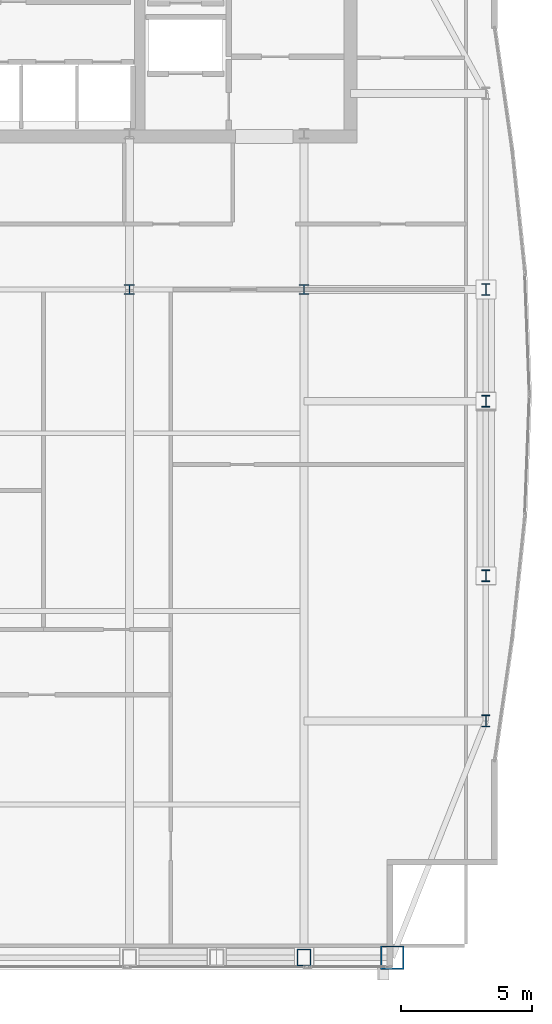
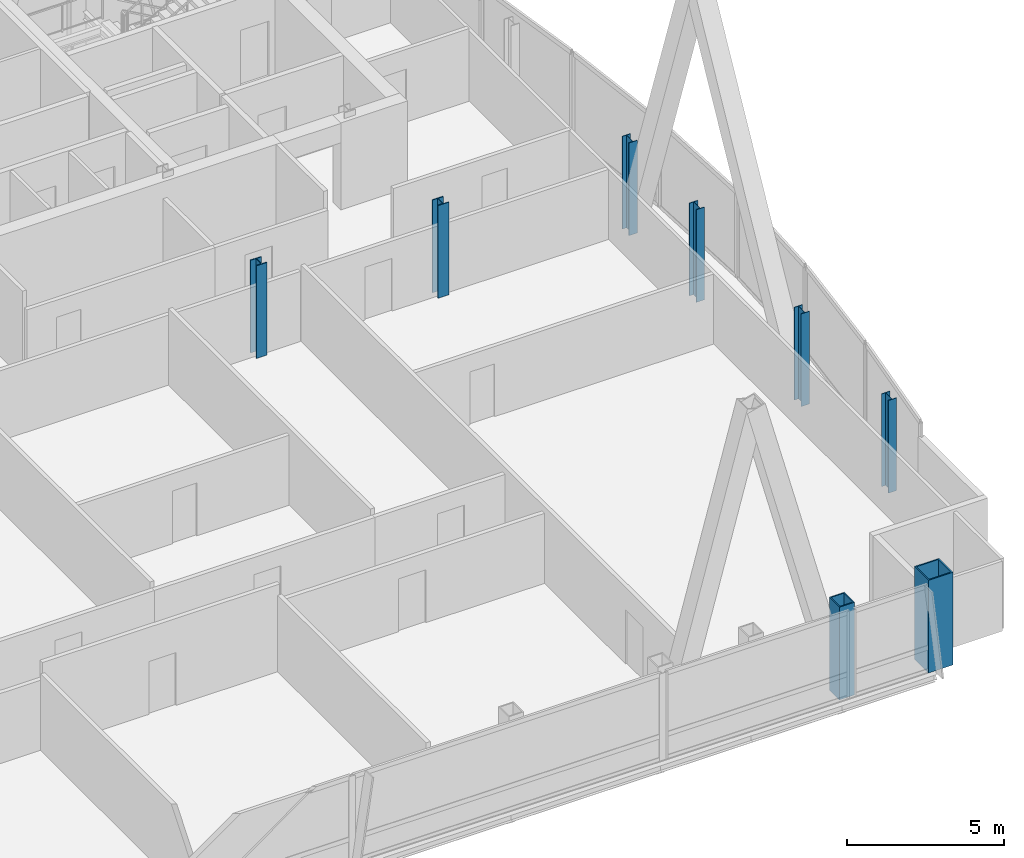
# One storey, part 2 of 29: 8 columns.
"""IFC4 building model written with IfcOpenShell, lengths in metres."""

import ifcopenshell
import ifcopenshell.guid

model = None  # the IFC model being written
_history = None  # IfcOwnerHistory: only IFC2X3 demands one
_inside = {}  # id of a spatial element -> (the spatial element, [elements in it])
_under = {}  # id of a project, library or spatial element -> (it, [spatial elements below it])
_declared = {}  # id of a project -> (the project, [libraries it declares])
_typed = {}  # id of a type object -> (the type object, [elements of that type])
_made_of = {}  # id of a material, layer set ... -> (it, [elements and type objects made of it])


def new_model(schema):
    """Start an empty IFC model of exactly this schema.

    Asked for "IFC4X3", IfcOpenShell would pick the latest addendum, in which some entities
    have other attributes; the version numbers below select the first issue.
    IFC2X3 requires an IfcOwnerHistory on every rooted entity: one is made here for all.
    """
    global model, _history
    if schema == "IFC4X3":
        model = ifcopenshell.file(schema_version=(4, 3, 0, 0))
    else:
        model = ifcopenshell.file(schema=schema)
    _inside.clear()
    _under.clear()
    _declared.clear()
    _typed.clear()
    _made_of.clear()
    _history = None
    if model.schema == "IFC2X3":
        org = make("IfcOrganization", Name="unknown")
        user = make(
            "IfcPersonAndOrganization",
            ThePerson=make("IfcPerson", FamilyName="unknown"),
            TheOrganization=org,
        )
        app = make(
            "IfcApplication",
            ApplicationDeveloper=org,
            Version="unknown",
            ApplicationFullName="unknown",
            ApplicationIdentifier="unknown",
        )
        _history = make(
            "IfcOwnerHistory",
            OwningUser=user,
            OwningApplication=app,
            ChangeAction="ADDED",
            CreationDate=0,
        )
    return model


def make(cls, **values):
    """One entity of the class cls with the attributes given. An attribute that is None is left unset."""
    return model.create_entity(
        cls, **{name: value for name, value in values.items() if value is not None}
    )


def rooted(cls, **values):
    """An entity with a GlobalId (a new one), such as an element, a storey or a relation."""
    return make(cls, GlobalId=ifcopenshell.guid.new(), OwnerHistory=_history, **values)


def si_unit(unit_type, name, prefix=None):
    """IfcSIUnit, for example si_unit("LENGTHUNIT", "METRE", prefix="MILLI")."""
    return make("IfcSIUnit", UnitType=unit_type, Prefix=prefix, Name=name)


def assignment(units):
    """IfcUnitAssignment: the units of a project."""
    return None if units is None else make("IfcUnitAssignment", Units=units)


def point(xyz):
    """IfcCartesianPoint."""
    return None if xyz is None else make("IfcCartesianPoint", Coordinates=xyz)


def direction(xyz):
    """IfcDirection."""
    return None if xyz is None else make("IfcDirection", DirectionRatios=xyz)


def frame(location, z_axis=None, x_axis=None):
    """IfcAxis2Placement3D, a coordinate frame: its origin and axes. An axis left out is left unset."""
    return make(
        "IfcAxis2Placement3D",
        Location=point(location),
        Axis=direction(z_axis),
        RefDirection=direction(x_axis),
    )


def frame_2d(location, x_axis=None):
    """IfcAxis2Placement2D, a coordinate frame in the plane: its origin and x axis."""
    return make(
        "IfcAxis2Placement2D", Location=point(location), RefDirection=direction(x_axis)
    )


def origin():
    """The frame at (0, 0, 0) with its axes left unset."""
    return frame((0.0, 0.0, 0.0))


def origin_2d():
    """The frame at (0, 0) in the plane with its x axis left unset."""
    return frame_2d((0.0, 0.0))


def place(relative_to, where):
    """IfcLocalPlacement: puts the frame where relative to a parent placement (None: the world)."""
    return make(
        "IfcLocalPlacement", PlacementRelTo=relative_to, RelativePlacement=where
    )


def context(
    kind, dimensions, precision=None, world=None, true_north=None, identifier=None
):
    """IfcGeometricRepresentationContext, for example the 3D "Model" context."""
    return make(
        "IfcGeometricRepresentationContext",
        ContextIdentifier=identifier,
        ContextType=kind,
        CoordinateSpaceDimension=dimensions,
        Precision=precision,
        WorldCoordinateSystem=world,
        TrueNorth=true_north,
    )


def subcontext(parent, identifier, kind, view, scale=None):
    """IfcGeometricRepresentationSubContext, for example "Body" below "Model"."""
    return make(
        "IfcGeometricRepresentationSubContext",
        ContextIdentifier=identifier,
        ContextType=kind,
        ParentContext=parent,
        TargetScale=scale,
        TargetView=view,
    )


def project(units=None, contexts=None):
    """IfcProject with its units and contexts."""
    return rooted(
        "IfcProject",
        Name="project",
        RepresentationContexts=contexts,
        UnitsInContext=assignment(units),
    )


def spatial(cls, under=None, at=None, **own):
    """A site, building, storey or space (cls), placed at a placement, below another one or the project."""
    s = rooted(cls, ObjectPlacement=at, **own)
    if under is not None:
        _under.setdefault(under.id(), (under, []))[1].append(s)
    return s


def profile(cls, at=None, kind="AREA", **sizes):
    """A parametric profile (cls). Its sizes go by their IFC names, for example OverallWidth=200.0."""
    return make(cls, ProfileType=kind, Position=at, **sizes)


def hollow_rectangle(**sizes):
    """IfcRectangleHollowProfileDef."""
    return profile("IfcRectangleHollowProfileDef", **sizes)


def i_section(**sizes):
    """IfcIShapeProfileDef."""
    return profile("IfcIShapeProfileDef", **sizes)


def extrude(swept, where, along, depth):
    """IfcExtrudedAreaSolid: the profile swept, set in the frame where, extruded along a direction by depth."""
    return make(
        "IfcExtrudedAreaSolid",
        SweptArea=swept,
        Position=where,
        ExtrudedDirection=direction(along),
        Depth=depth,
    )


def shape(context_of_items, identifier, shape_type, items):
    """IfcShapeRepresentation: the items that make up one representation, for example the "Body"."""
    return make(
        "IfcShapeRepresentation",
        ContextOfItems=context_of_items,
        RepresentationIdentifier=identifier,
        RepresentationType=shape_type,
        Items=items,
    )


def material(Name=None, Category=None):
    """IfcMaterial."""
    return make("IfcMaterial", Name=Name, Category=Category)


def material_profile(
    of_material, cross_section, Name=None, Category=None, Priority=None
):
    """IfcMaterialProfile: a cross section and its material."""
    return make(
        "IfcMaterialProfile",
        Name=Name,
        Material=of_material,
        Profile=cross_section,
        Priority=Priority,
        Category=Category,
    )


def profile_set(profiles, Name=None, composite=None):
    """IfcMaterialProfileSet."""
    return make(
        "IfcMaterialProfileSet",
        Name=Name,
        MaterialProfiles=profiles,
        CompositeProfile=composite,
    )


def made_of(thing, what):
    """Note that an element or type object is made of a material, layer set ...; save() writes the relation."""
    if what is not None:
        _made_of.setdefault(what.id(), (what, []))[1].append(thing)
    return thing


def type_object(cls, material=None, **own):
    """A type object (cls), such as IfcWallType, which elements share."""
    return made_of(rooted(cls, **own), material)


def element(
    cls,
    number,
    at=None,
    inside=None,
    cuts=None,
    type_object=None,
    material=None,
    context=None,
    identifier="Body",
    shape_type=None,
    held_by="IfcProductDefinitionShape",
    body=None,
    shapes=None,
    **own,
):
    """One element of the class cls, such as IfcWall. Its Tag is "e" and its number.

    at: its placement. inside: the storey or other place that contains it. cuts: it is an
    opening in that element (IfcRelVoidsElement). A single representation is given by context,
    identifier, shape_type and body (its items); several are given by shapes. held_by: the class
    of the entity that holds the representations. save() writes the other relations.
    """
    e = rooted(cls, Tag="e%d" % number, ObjectPlacement=at, **own)
    if body is not None:
        shapes = [shape(context, identifier, shape_type, body)]
    if shapes is not None:
        e.Representation = make(held_by, Representations=shapes)
    if inside is not None:
        _inside.setdefault(inside.id(), (inside, []))[1].append(e)
    if cuts is not None:
        rooted(
            "IfcRelVoidsElement", RelatingBuildingElement=cuts, RelatedOpeningElement=e
        )
    if type_object is not None:
        _typed.setdefault(type_object.id(), (type_object, []))[1].append(e)
    return made_of(e, material)


def aggregate(whole, parts):
    """IfcRelAggregates: a whole, such as a stair, and the parts it consists of."""
    return rooted("IfcRelAggregates", RelatingObject=whole, RelatedObjects=parts)


def save(model, path):
    """Write the relations noted so far, then the file.

    IfcRelAggregates (storeys below a building ...), IfcRelContainedInSpatialStructure (elements
    in a storey), IfcRelDefinesByType, IfcRelAssociatesMaterial and IfcRelDeclares: one each for
    every whole, place, type object, material and project.
    """
    for whole, parts in _under.values():
        aggregate(whole, parts)
    for where, things in _inside.values():
        rooted(
            "IfcRelContainedInSpatialStructure",
            RelatedElements=things,
            RelatingStructure=where,
        )
    for kind, things in _typed.values():
        rooted("IfcRelDefinesByType", RelatedObjects=things, RelatingType=kind)
    for what, things in _made_of.values():
        rooted("IfcRelAssociatesMaterial", RelatedObjects=things, RelatingMaterial=what)
    for by, libraries in _declared.values():
        rooted("IfcRelDeclares", RelatingContext=by, RelatedDefinitions=libraries)
    model.write(path)


model = new_model("IFC4")

# Units and contexts
model_context = context("Model", 3, precision=1e-05, world=origin(), true_north=direction((0.0, 1.0)))
body_context = subcontext(model_context, "Body", "Model", "MODEL_VIEW")
ifc_project = project(units=[si_unit("LENGTHUNIT", "METRE"), si_unit("AREAUNIT", "SQUARE_METRE"), si_unit("VOLUMEUNIT", "CUBIC_METRE"), si_unit("PLANEANGLEUNIT", "RADIAN"), si_unit("MASSUNIT", "GRAM", prefix="KILO")], contexts=[model_context])

# Site, building, storey
site_placement = place(None, origin())
site = spatial("IfcSite", under=ifc_project, at=site_placement, CompositionType="ELEMENT")
building_placement = place(site_placement, origin())
building = spatial("IfcBuilding", under=site, at=building_placement, Name="Khoronbel Lancet Exchange", CompositionType="ELEMENT")
storey_placement = place(building_placement, frame((0.0, 0.0, 302.199951171875)))
storey = spatial("IfcBuildingStorey", under=building, at=storey_placement, Name="L78", CompositionType="ELEMENT", Elevation=302.199951171875)

# Columns
ifc_material_1 = material(Name="Steel S460", Category="steel")
ifc_material_profile_1 = material_profile(ifc_material_1, hollow_rectangle(XDim=0.550048828125, YDim=0.64990234375, WallThickness=0.0400390625, at=origin_2d()), Name="BOX 650x550x40")
ifc_profile_set_1 = profile_set([ifc_material_profile_1], Name="Steel S460")
column_type_1 = type_object("IfcColumnType", Name="COL-EC4", PredefinedType="COLUMN", material=ifc_profile_set_1)
column_1_placement = place(storey_placement, frame((54.675048828125, 10.14990234375, 0.0), z_axis=(0.0, 0.0, 1.0), x_axis=(1.0, 0.0, 0.0)))
element("IfcColumn", 1, at=column_1_placement, inside=storey, type_object=column_type_1, Name="Structural column SC-E2 L78", PredefinedType="COLUMN", context=body_context, shape_type="SweptSolid", body=[
    extrude(hollow_rectangle(XDim=0.550048828125, YDim=0.64990234375, WallThickness=0.0400390625, at=origin_2d()), origin(), (0.0, 0.0, 1.0), 3.60009765625),
])
ifc_material_2 = material(Name="Steel S355", Category="steel")
ifc_material_profile_2 = material_profile(ifc_material_2, i_section(OverallWidth=0.39892578125, OverallDepth=0.39306640625, WebThickness=0.022705078125, FlangeThickness=0.03662109375, at=origin_2d()), Name="HD 400x287")
ifc_profile_set_2 = profile_set([ifc_material_profile_2], Name="Steel S355")
column_type_2 = type_object("IfcColumnType", Name="COL-IC4", PredefinedType="COLUMN", material=ifc_profile_set_2)
for number, where, z_axis, x_axis, name in (
    (2, (48.0, 35.699951171875, 0.0), (0.0, 0.0, 1.0), (1.0, 0.0, 0.0), "Spine gravity column TC3 L78"),
    (3, (54.675048828125, 35.699951171875, 0.0), (0.0, 0.0, 1.0), (1.0, 0.0, 0.0), "Spine gravity column TC4 L78"),
):
    element("IfcColumn", number, at=place(storey_placement, frame(where, z_axis=z_axis, x_axis=x_axis)), inside=storey, type_object=column_type_2, Name=name, PredefinedType="COLUMN", context=body_context, shape_type="SweptSolid", body=[
        extrude(i_section(OverallWidth=0.39892578125, OverallDepth=0.39306640625, WebThickness=0.022705078125, FlangeThickness=0.03662109375, at=origin_2d()), origin(), (0.0, 0.0, 1.0), 3.60009765625),
    ])
ifc_material_profile_3 = material_profile(ifc_material_2, i_section(OverallWidth=0.300048828125, OverallDepth=0.449951171875, WebThickness=0.013916015625, FlangeThickness=0.02587890625, at=origin_2d()), Name="HEB 450")
ifc_profile_set_3 = profile_set([ifc_material_profile_3], Name="Steel S355")
column_type_3 = type_object("IfcColumnType", Name="COL-LC2", PredefinedType="COLUMN", material=ifc_profile_set_3)
for number, where, z_axis, x_axis, name in (
    (4, (61.6298828125, 19.199951171875, 0.0), (0.0, 0.0, 1.0), (1.0, 0.0, 0.0), "Structural column EC-1 L78"),
    (5, (61.6298828125, 24.75, 0.0), (0.0, 0.0, 1.0), (1.0, 0.0, 0.0), "Structural column EC-2 L78"),
    (6, (61.6298828125, 31.425048828125, 0.0), (0.0, 0.0, 1.0), (1.0, 0.0, 0.0), "Structural column EC-M L78"),
    (7, (61.6298828125, 35.699951171875, 0.0), (0.0, 0.0, 1.0), (1.0, 0.0, 0.0), "Structural column EC-3 L78"),
):
    element("IfcColumn", number, at=place(storey_placement, frame(where, z_axis=z_axis, x_axis=x_axis)), inside=storey, type_object=column_type_3, Name=name, PredefinedType="COLUMN", context=body_context, shape_type="SweptSolid", body=[
        extrude(i_section(OverallWidth=0.300048828125, OverallDepth=0.449951171875, WebThickness=0.013916015625, FlangeThickness=0.02587890625, at=origin_2d()), origin(), (0.0, 0.0, 1.0), 3.60009765625),
    ])
ifc_material_profile_4 = material_profile(ifc_material_1, hollow_rectangle(XDim=0.89990234375, YDim=0.89990234375, WallThickness=0.050048828125, at=origin_2d()), Name="BOX 900x900x50")
ifc_profile_set_4 = profile_set([ifc_material_profile_4], Name="Steel S460")
column_type_4 = type_object("IfcColumnType", Name="COL-MC7", PredefinedType="COLUMN", material=ifc_profile_set_4)
column_2_placement = place(storey_placement, frame((58.050048828125, 10.14990234375, 0.0), z_axis=(0.0, 0.0, 1.0), x_axis=(1.0, 0.0, 0.0)))
element("IfcColumn", 8, at=column_2_placement, inside=storey, type_object=column_type_4, Name="Structural column MC-SE L78", PredefinedType="COLUMN", context=body_context, shape_type="SweptSolid", body=[
    extrude(hollow_rectangle(XDim=0.89990234375, YDim=0.89990234375, WallThickness=0.050048828125, at=origin_2d()), origin(), (0.0, 0.0, 1.0), 3.60009765625),
])

save(model, "model.ifc")
